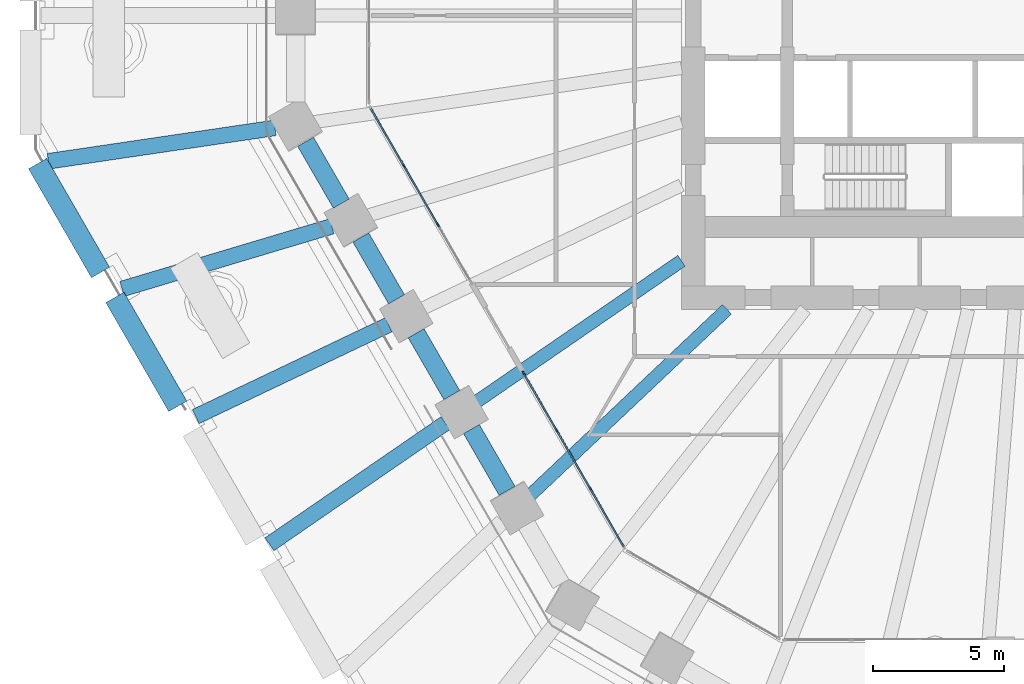
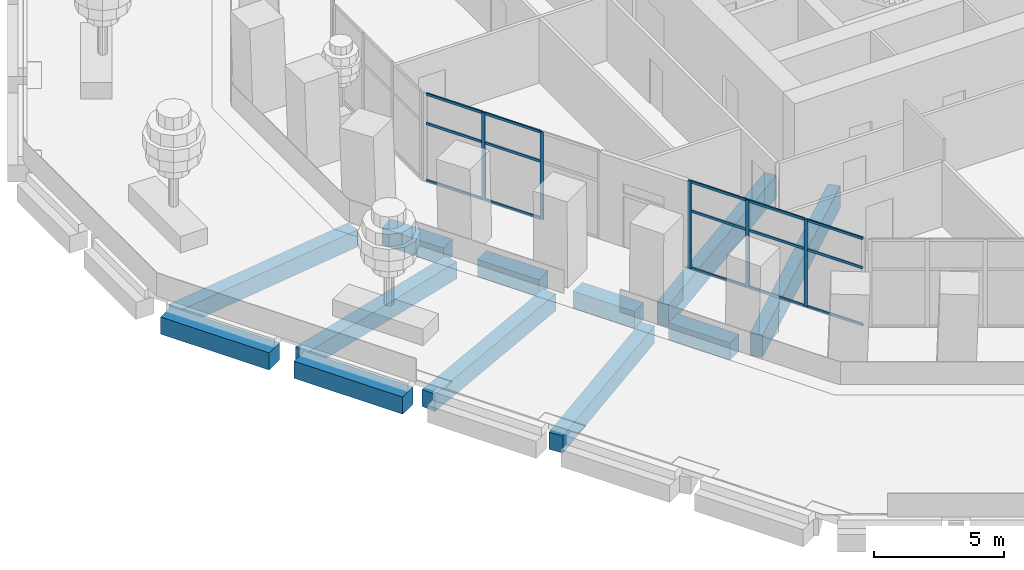
# One storey, part 4 of 32: 20 members, 12 beams, 2 elements without a shape of their own.
"""IFC4 building model written with IfcOpenShell, lengths in metres."""

from ifc_helpers import new_model, si_unit, direction, frame, origin, origin_2d, place, context, subcontext, project, spatial, rectangle, extrude, material, material_profile, profile_set, type_object, element, aggregate, save


model = new_model("IFC4")

# Units and contexts
model_context = context("Model", 3, precision=1e-05, world=origin(), true_north=direction((0.0, 1.0)))
body_context = subcontext(model_context, "Body", "Model", "MODEL_VIEW")
ifc_project = project(units=[si_unit("LENGTHUNIT", "METRE"), si_unit("AREAUNIT", "SQUARE_METRE"), si_unit("VOLUMEUNIT", "CUBIC_METRE"), si_unit("PLANEANGLEUNIT", "RADIAN"), si_unit("MASSUNIT", "GRAM", prefix="KILO")], contexts=[model_context])

# Site, building, storey
site_placement = place(None, origin())
site = spatial("IfcSite", under=ifc_project, at=site_placement, CompositionType="ELEMENT")
building_placement = place(site_placement, origin())
building = spatial("IfcBuilding", under=site, at=building_placement, Name="Frailejon Research Tower", CompositionType="ELEMENT")
storey_placement = place(building_placement, frame((0.0, 0.0, 14.60009765625)))
storey = spatial("IfcBuildingStorey", under=building, at=storey_placement, Name="L03", CompositionType="ELEMENT", Elevation=14.60009765625)

# Beams
ifc_material_1 = material(Name="Concrete C60/75", Category="concrete")
ifc_material_profile_1 = material_profile(ifc_material_1, rectangle(XDim=0.800048828125, YDim=0.800048828125, at=origin_2d()), Name="Base ring beam")
ifc_profile_set_1 = profile_set([ifc_material_profile_1], Name="Concrete C60/75")
beam_type_1 = type_object("IfcBeamType", Name="Base ring beam", PredefinedType="BEAM", material=ifc_profile_set_1)
beam_1_placement = place(storey_placement, frame((-38.294189453125, -5.672607421875, -0.800048828125), z_axis=(0.500028306193, -0.866009060579, 0.0), x_axis=(0.866009060579, 0.500028306193, 0.0)))
element("IfcBeam", 1, at=beam_1_placement, inside=storey, type_object=beam_type_1, Name="Base ring beam", PredefinedType="BEAM", context=body_context, shape_type="SweptSolid", body=[
    extrude(rectangle(XDim=0.800048828125, YDim=0.800048828125, at=origin_2d()), origin(), (0.0, 0.0, 1.0), 4.813720703125),
])
beam_2_placement = place(storey_placement, frame((-35.33740234375, -10.7939453125, -0.800048828125), z_axis=(0.50000634465, -0.866021740668, 0.0), x_axis=(0.866021740668, 0.50000634465, 0.0)))
element("IfcBeam", 2, at=beam_2_placement, inside=storey, type_object=beam_type_1, Name="Base ring beam", PredefinedType="BEAM", context=body_context, shape_type="SweptSolid", body=[
    extrude(rectangle(XDim=0.800048828125, YDim=0.800048828125, at=origin_2d()), origin(), (0.0, 0.0, 1.0), 4.81396484375),
])

# Curtain wall, members
ifc_material_2 = material(Name="Aluminium curtain wall", Category="aluminium")
curtain_wall_type = type_object("IfcCurtainWallType", Name="Base zone unitised curtain wall system", PredefinedType="NOTDEFINED", material=ifc_material_2)
curtain_wall_1_placement = place(storey_placement, origin())
curtain_wall_1 = element("IfcCurtainWall", 3, at=curtain_wall_1_placement, inside=storey, type_object=curtain_wall_type, Name="Curtain wall L03", PredefinedType="NOTDEFINED")
ifc_material_3 = material(Name="Aluminium extrusion", Category="aluminium")
ifc_material_profile_2 = material_profile(ifc_material_3, rectangle(XDim=0.06005859375, YDim=0.159912109375, at=origin_2d()), Name="Base zone unitised curtain wall mullion 60x160")
ifc_profile_set_2 = profile_set([ifc_material_profile_2], Name="Aluminium extrusion")
member_type_1 = type_object("IfcMemberType", Name="Base zone unitised curtain wall mullion 60x160", PredefinedType="MULLION", material=ifc_profile_set_2)
member_1_placement = place(storey_placement, frame((-24.268798828125, -5.76513671875, 0.0), z_axis=(0.0, 0.0, 1.0), x_axis=(0.866029434533, 0.499993018474, 0.0)))
member_1 = element("IfcMember", 4, at=member_1_placement, type_object=member_type_1, Name="CW3-055 mullion 2", PredefinedType="MULLION", context=body_context, shape_type="SweptSolid", body=[
    extrude(rectangle(XDim=0.06005859375, YDim=0.159912109375, at=origin_2d()), origin(), (0.0, 0.0, 1.0), 4.099853515625),
])
member_2_placement = place(storey_placement, frame((-22.974853515625, -8.00634765625, 0.0), z_axis=(0.0, 0.0, 1.0), x_axis=(0.866029434533, 0.499993018474, 0.0)))
member_2 = element("IfcMember", 5, at=member_2_placement, type_object=member_type_1, Name="CW3-055 mullion 3", PredefinedType="MULLION", context=body_context, shape_type="SweptSolid", body=[
    extrude(rectangle(XDim=0.06005859375, YDim=0.159912109375, at=origin_2d()), origin(), (0.0, 0.0, 1.0), 4.099853515625),
])

curtain_wall_2_placement = place(storey_placement, origin())
curtain_wall_2 = element("IfcCurtainWall", 6, at=curtain_wall_2_placement, inside=storey, type_object=curtain_wall_type, Name="Curtain wall L03", PredefinedType="NOTDEFINED")
member_3_placement = place(storey_placement, frame((-19.699951171875, -13.678466796875, 0.0), z_axis=(0.0, 0.0, 1.0), x_axis=(0.866029434533, 0.499993018474, 0.0)))
member_3 = element("IfcMember", 7, at=member_3_placement, type_object=member_type_1, Name="CW3-056 mullion 1", PredefinedType="MULLION", context=body_context, shape_type="SweptSolid", body=[
    extrude(rectangle(XDim=0.06005859375, YDim=0.159912109375, at=origin_2d()), origin(), (0.0, 0.0, 1.0), 4.099853515625),
])
member_4_placement = place(storey_placement, frame((-18.421142578125, -15.893798828125, 0.0), z_axis=(0.0, 0.0, 1.0), x_axis=(0.866029434533, 0.499993018474, 0.0)))
member_4 = element("IfcMember", 8, at=member_4_placement, type_object=member_type_1, Name="CW3-056 mullion 2", PredefinedType="MULLION", context=body_context, shape_type="SweptSolid", body=[
    extrude(rectangle(XDim=0.06005859375, YDim=0.159912109375, at=origin_2d()), origin(), (0.0, 0.0, 1.0), 4.099853515625),
])
member_5_placement = place(storey_placement, frame((-17.127197265625, -18.135009765625, 0.0), z_axis=(0.0, 0.0, 1.0), x_axis=(0.866029434533, 0.499993018474, 0.0)))
member_5 = element("IfcMember", 9, at=member_5_placement, type_object=member_type_1, Name="CW3-056 mullion 3", PredefinedType="MULLION", context=body_context, shape_type="SweptSolid", body=[
    extrude(rectangle(XDim=0.06005859375, YDim=0.159912109375, at=origin_2d()), origin(), (0.0, 0.0, 1.0), 4.099853515625),
])

# Member
ifc_material_4 = material(Name="Aluminium extrusion", Category="aluminium")
ifc_material_profile_3 = material_profile(ifc_material_4, rectangle(XDim=0.06005859375, YDim=0.1201171875, at=origin_2d()), Name="Base zone unitised curtain wall transom 60x120")
ifc_profile_set_3 = profile_set([ifc_material_profile_3], Name="Aluminium extrusion")
member_type_2 = type_object("IfcMemberType", Name="Base zone unitised curtain wall transom 60x120", PredefinedType="USERDEFINED", material=ifc_profile_set_3)
member_6_placement = place(storey_placement, frame((-25.53271484375, -3.575927734375, 0.02978515625), z_axis=(0.499976292358, -0.866039090965, 0.0), x_axis=(0.866039090965, 0.499976292358, 0.0)))
member_6 = element("IfcMember", 10, at=member_6_placement, type_object=member_type_2, Name="CW3-055 transom 1.1", ObjectType="TRANSOM", PredefinedType="USERDEFINED", context=body_context, shape_type="SweptSolid", body=[
    extrude(rectangle(XDim=0.06005859375, YDim=0.1201171875, at=origin_2d()), origin(), (0.0, 0.0, 1.0), 2.49755859375),
])

member_7_placement = place(storey_placement, frame((-25.53271484375, -3.575927734375, 2.699951171875), z_axis=(0.499976292358, -0.866039090965, 0.0), x_axis=(0.866039090965, 0.499976292358, 0.0)))
member_7 = element("IfcMember", 11, at=member_7_placement, type_object=member_type_2, Name="CW3-055 transom 1.2", ObjectType="TRANSOM", PredefinedType="USERDEFINED", context=body_context, shape_type="SweptSolid", body=[
    extrude(rectangle(XDim=0.06005859375, YDim=0.1201171875, at=origin_2d()), origin(), (0.0, 0.0, 1.0), 2.49755859375),
])

member_8_placement = place(storey_placement, frame((-25.53271484375, -3.575927734375, 4.06982421875), z_axis=(0.499976292358, -0.866039090965, 0.0), x_axis=(0.866039090965, 0.499976292358, 0.0)))
member_8 = element("IfcMember", 12, at=member_8_placement, type_object=member_type_2, Name="CW3-055 transom 1.3", ObjectType="TRANSOM", PredefinedType="USERDEFINED", context=body_context, shape_type="SweptSolid", body=[
    extrude(rectangle(XDim=0.06005859375, YDim=0.1201171875, at=origin_2d()), origin(), (0.0, 0.0, 1.0), 2.49755859375),
])

member_9_placement = place(storey_placement, frame((-24.25390625, -5.791015625, 0.02978515625), z_axis=(0.499992766374, -0.86602958008, 0.0), x_axis=(0.86602958008, 0.499992766374, 0.0)))
member_9 = element("IfcMember", 13, at=member_9_placement, type_object=member_type_2, Name="CW3-055 transom 2.1", ObjectType="TRANSOM", PredefinedType="USERDEFINED", context=body_context, shape_type="SweptSolid", body=[
    extrude(rectangle(XDim=0.06005859375, YDim=0.1201171875, at=origin_2d()), origin(), (0.0, 0.0, 1.0), 2.52783203125),
])

member_10_placement = place(storey_placement, frame((-24.25390625, -5.791015625, 2.699951171875), z_axis=(0.499992766374, -0.86602958008, 0.0), x_axis=(0.86602958008, 0.499992766374, 0.0)))
member_10 = element("IfcMember", 14, at=member_10_placement, type_object=member_type_2, Name="CW3-055 transom 2.2", ObjectType="TRANSOM", PredefinedType="USERDEFINED", context=body_context, shape_type="SweptSolid", body=[
    extrude(rectangle(XDim=0.06005859375, YDim=0.1201171875, at=origin_2d()), origin(), (0.0, 0.0, 1.0), 2.52783203125),
])

member_11_placement = place(storey_placement, frame((-24.25390625, -5.791015625, 4.06982421875), z_axis=(0.499992766374, -0.86602958008, 0.0), x_axis=(0.86602958008, 0.499992766374, 0.0)))
member_11 = element("IfcMember", 15, at=member_11_placement, type_object=member_type_2, Name="CW3-055 transom 2.3", ObjectType="TRANSOM", PredefinedType="USERDEFINED", context=body_context, shape_type="SweptSolid", body=[
    extrude(rectangle(XDim=0.06005859375, YDim=0.1201171875, at=origin_2d()), origin(), (0.0, 0.0, 1.0), 2.52783203125),
])

aggregate(curtain_wall_1, [member_1, member_2, member_6, member_7, member_8, member_9, member_10, member_11])

member_12_placement = place(storey_placement, frame((-19.68505859375, -13.704345703125, 0.02978515625), z_axis=(0.500007276137, -0.866021202864, 0.0), x_axis=(0.866021202864, 0.500007276137, 0.0)))
member_12 = element("IfcMember", 16, at=member_12_placement, type_object=member_type_2, Name="CW3-056 transom 1.1", ObjectType="TRANSOM", PredefinedType="USERDEFINED", context=body_context, shape_type="SweptSolid", body=[
    extrude(rectangle(XDim=0.06005859375, YDim=0.1201171875, at=origin_2d()), origin(), (0.0, 0.0, 1.0), 2.498046875),
])

member_13_placement = place(storey_placement, frame((-19.68505859375, -13.704345703125, 2.699951171875), z_axis=(0.500007276137, -0.866021202864, 0.0), x_axis=(0.866021202864, 0.500007276137, 0.0)))
member_13 = element("IfcMember", 17, at=member_13_placement, type_object=member_type_2, Name="CW3-056 transom 1.2", ObjectType="TRANSOM", PredefinedType="USERDEFINED", context=body_context, shape_type="SweptSolid", body=[
    extrude(rectangle(XDim=0.06005859375, YDim=0.1201171875, at=origin_2d()), origin(), (0.0, 0.0, 1.0), 2.498046875),
])

member_14_placement = place(storey_placement, frame((-19.68505859375, -13.704345703125, 4.06982421875), z_axis=(0.500007276137, -0.866021202864, 0.0), x_axis=(0.866021202864, 0.500007276137, 0.0)))
member_14 = element("IfcMember", 18, at=member_14_placement, type_object=member_type_2, Name="CW3-056 transom 1.3", ObjectType="TRANSOM", PredefinedType="USERDEFINED", context=body_context, shape_type="SweptSolid", body=[
    extrude(rectangle(XDim=0.06005859375, YDim=0.1201171875, at=origin_2d()), origin(), (0.0, 0.0, 1.0), 2.498046875),
])

member_15_placement = place(storey_placement, frame((-18.406005859375, -15.919677734375, 0.02978515625), z_axis=(0.499992766374, -0.86602958008, 0.0), x_axis=(0.86602958008, 0.499992766374, 0.0)))
member_15 = element("IfcMember", 19, at=member_15_placement, type_object=member_type_2, Name="CW3-056 transom 2.1", ObjectType="TRANSOM", PredefinedType="USERDEFINED", context=body_context, shape_type="SweptSolid", body=[
    extrude(rectangle(XDim=0.06005859375, YDim=0.1201171875, at=origin_2d()), origin(), (0.0, 0.0, 1.0), 2.52783203125),
])

member_16_placement = place(storey_placement, frame((-18.406005859375, -15.919677734375, 2.699951171875), z_axis=(0.499992766374, -0.86602958008, 0.0), x_axis=(0.86602958008, 0.499992766374, 0.0)))
member_16 = element("IfcMember", 20, at=member_16_placement, type_object=member_type_2, Name="CW3-056 transom 2.2", ObjectType="TRANSOM", PredefinedType="USERDEFINED", context=body_context, shape_type="SweptSolid", body=[
    extrude(rectangle(XDim=0.06005859375, YDim=0.1201171875, at=origin_2d()), origin(), (0.0, 0.0, 1.0), 2.52783203125),
])

member_17_placement = place(storey_placement, frame((-18.406005859375, -15.919677734375, 4.06982421875), z_axis=(0.499992766374, -0.86602958008, 0.0), x_axis=(0.86602958008, 0.499992766374, 0.0)))
member_17 = element("IfcMember", 21, at=member_17_placement, type_object=member_type_2, Name="CW3-056 transom 2.3", ObjectType="TRANSOM", PredefinedType="USERDEFINED", context=body_context, shape_type="SweptSolid", body=[
    extrude(rectangle(XDim=0.06005859375, YDim=0.1201171875, at=origin_2d()), origin(), (0.0, 0.0, 1.0), 2.52783203125),
])

member_18_placement = place(storey_placement, frame((-17.112060546875, -18.160888671875, 0.02978515625), z_axis=(0.499933970956, -0.866063522315, 0.0), x_axis=(0.866063522315, 0.499933970956, 0.0)))
member_18 = element("IfcMember", 22, at=member_18_placement, type_object=member_type_2, Name="CW3-056 transom 3.1", ObjectType="TRANSOM", PredefinedType="USERDEFINED", context=body_context, shape_type="SweptSolid", body=[
    extrude(rectangle(XDim=0.06005859375, YDim=0.1201171875, at=origin_2d()), origin(), (0.0, 0.0, 1.0), 2.497802734375),
])

member_19_placement = place(storey_placement, frame((-17.112060546875, -18.160888671875, 2.699951171875), z_axis=(0.499933970956, -0.866063522315, 0.0), x_axis=(0.866063522315, 0.499933970956, 0.0)))
member_19 = element("IfcMember", 23, at=member_19_placement, type_object=member_type_2, Name="CW3-056 transom 3.2", ObjectType="TRANSOM", PredefinedType="USERDEFINED", context=body_context, shape_type="SweptSolid", body=[
    extrude(rectangle(XDim=0.06005859375, YDim=0.1201171875, at=origin_2d()), origin(), (0.0, 0.0, 1.0), 2.497802734375),
])

member_20_placement = place(storey_placement, frame((-17.112060546875, -18.160888671875, 4.06982421875), z_axis=(0.499933970956, -0.866063522315, 0.0), x_axis=(0.866063522315, 0.499933970956, 0.0)))
member_20 = element("IfcMember", 24, at=member_20_placement, type_object=member_type_2, Name="CW3-056 transom 3.3", ObjectType="TRANSOM", PredefinedType="USERDEFINED", context=body_context, shape_type="SweptSolid", body=[
    extrude(rectangle(XDim=0.06005859375, YDim=0.1201171875, at=origin_2d()), origin(), (0.0, 0.0, 1.0), 2.497802734375),
])

aggregate(curtain_wall_2, [member_3, member_4, member_5, member_12, member_13, member_14, member_15, member_16, member_17, member_18, member_19, member_20])

# Beams
ifc_material_5 = material(Name="Concrete C60/75", Category="concrete")
ifc_material_profile_4 = material_profile(ifc_material_5, rectangle(XDim=0.60009765625, YDim=0.800048828125, at=origin_2d()), Name="Deck girder")
ifc_profile_set_4 = profile_set([ifc_material_profile_4], Name="Concrete C60/75")
beam_type_2 = type_object("IfcBeamType", Name="Deck girder", PredefinedType="BEAM", material=ifc_profile_set_4)
beam_3_placement = place(storey_placement, frame((-29.2109375, -4.30517578125, -0.800048828125), z_axis=(-0.989311448826, -0.145817890611, 0.0), x_axis=(0.145817890611, -0.989311448826, 0.0)))
element("IfcBeam", 25, at=beam_3_placement, inside=storey, type_object=beam_type_2, Name="Deck girder", PredefinedType="BEAM", context=body_context, shape_type="SweptSolid", body=[
    extrude(rectangle(XDim=0.60009765625, YDim=0.800048828125, at=origin_2d()), origin(), (0.0, 0.0, 1.0), 8.7666015625),
])
beam_4_placement = place(storey_placement, frame((-27.035400390625, -8.072998046875, -0.800048828125), z_axis=(-0.958192065752, -0.286125785503, 0.0), x_axis=(0.286125785503, -0.958192065752, 0.0)))
element("IfcBeam", 26, at=beam_4_placement, inside=storey, type_object=beam_type_2, Name="Deck girder", PredefinedType="BEAM", context=body_context, shape_type="SweptSolid", body=[
    extrude(rectangle(XDim=0.60009765625, YDim=0.800048828125, at=origin_2d()), origin(), (0.0, 0.0, 1.0), 8.37744140625),
])
for number, where, z_axis, x_axis, name in (
    (27, (-24.860107421875, -11.841064453125, -0.800048828125), (-0.902821876558, -0.430014719758, 0.0), (0.430014719758, -0.902821876558, 0.0), "Deck girder"),
    (28, (-22.684814453125, -15.60888671875, -0.800048828125), (-0.823805728176, -0.566872227424, 0.0), (0.566872227424, -0.823805728176, 0.0), "Deck girder"),
):
    element("IfcBeam", number, at=place(storey_placement, frame(where, z_axis=z_axis, x_axis=x_axis)), inside=storey, type_object=beam_type_2, Name=name, PredefinedType="BEAM", context=body_context, shape_type="SweptSolid", body=[
        extrude(rectangle(XDim=0.60009765625, YDim=0.800048828125, at=origin_2d()), origin(), (0.0, 0.0, 1.0), 8.175537109375),
    ])
ifc_material_6 = material(Name="Concrete C60/75", Category="concrete")
ifc_material_profile_5 = material_profile(ifc_material_6, rectangle(XDim=0.5, YDim=1.050048828125, at=origin_2d()), Name="Girder 500x1050")
ifc_profile_set_5 = profile_set([ifc_material_profile_5], Name="Concrete C60/75")
beam_type_3 = type_object("IfcBeamType", Name="Girder 500x1050", PredefinedType="BEAM", material=ifc_profile_set_5)
beam_5_placement = place(storey_placement, frame((-21.568603515625, -14.841064453125, -0.8251953125), z_axis=(0.823817310549, 0.566855395, 0.0), x_axis=(-0.566855395, 0.823817310549, 0.0)))
element("IfcBeam", 29, at=beam_5_placement, inside=storey, type_object=beam_type_3, Name="Girder 500x1050", PredefinedType="BEAM", context=body_context, shape_type="SweptSolid", body=[
    extrude(rectangle(XDim=0.5, YDim=1.050048828125, at=origin_2d()), origin(), (0.0, 0.0, 1.0), 9.6123046875),
])
beam_6_placement = place(storey_placement, frame((-19.49755859375, -18.421142578125, -0.8251953125), z_axis=(0.726882810127, 0.686761516352, 0.0), x_axis=(-0.686761516352, 0.726882810127, 0.0)))
element("IfcBeam", 30, at=beam_6_placement, inside=storey, type_object=beam_type_3, Name="Girder 500x1050", PredefinedType="BEAM", context=body_context, shape_type="SweptSolid", body=[
    extrude(rectangle(XDim=0.5, YDim=1.050048828125, at=origin_2d()), origin(), (0.0, 0.0, 1.0), 10.44189453125),
])
ifc_material_7 = material(Name="Concrete C60/75", Category="concrete")
ifc_material_profile_6 = material_profile(ifc_material_7, rectangle(XDim=0.699951171875, YDim=0.800048828125, at=origin_2d()), Name="Spandrel 700x800")
ifc_profile_set_6 = profile_set([ifc_material_profile_6], Name="Concrete C60/75")
beam_type_4 = type_object("IfcBeamType", Name="Spandrel 700x800", PredefinedType="BEAM", material=ifc_profile_set_6)
beam_7_placement = place(storey_placement, frame((-28.037841796875, -4.837158203125, -0.75), z_axis=(0.500031897912, -0.866006986733, 0.0), x_axis=(0.866006986733, 0.500031897912, 0.0)))
element("IfcBeam", 31, at=beam_7_placement, inside=storey, type_object=beam_type_4, Name="Spandrel 700x800", PredefinedType="BEAM", context=body_context, shape_type="SweptSolid", body=[
    extrude(rectangle(XDim=0.699951171875, YDim=0.800048828125, at=origin_2d()), origin(), (0.0, 0.0, 1.0), 2.731689453125),
])
for number, where, z_axis, x_axis, name in (
    (32, (-25.921875, -8.501953125, -0.75), (0.499993199895, -0.866029329791, 0.0), (0.866029329791, 0.499993199895, 0.0), "Spandrel 700x800"),
    (33, (-23.805908203125, -12.1669921875, -0.75), (0.499993199895, -0.866029329791, 0.0), (0.866029329791, 0.499993199895, 0.0), "Spandrel 700x800"),
    (34, (-21.68994140625, -15.83203125, -0.75), (0.499993199895, -0.866029329791, 0.0), (0.866029329791, 0.499993199895, 0.0), "Spandrel 700x800"),
):
    element("IfcBeam", number, at=place(storey_placement, frame(where, z_axis=z_axis, x_axis=x_axis)), inside=storey, type_object=beam_type_4, Name=name, PredefinedType="BEAM", context=body_context, shape_type="SweptSolid", body=[
        extrude(rectangle(XDim=0.699951171875, YDim=0.800048828125, at=origin_2d()), origin(), (0.0, 0.0, 1.0), 2.73193359375),
    ])

save(model, "model.ifc")
